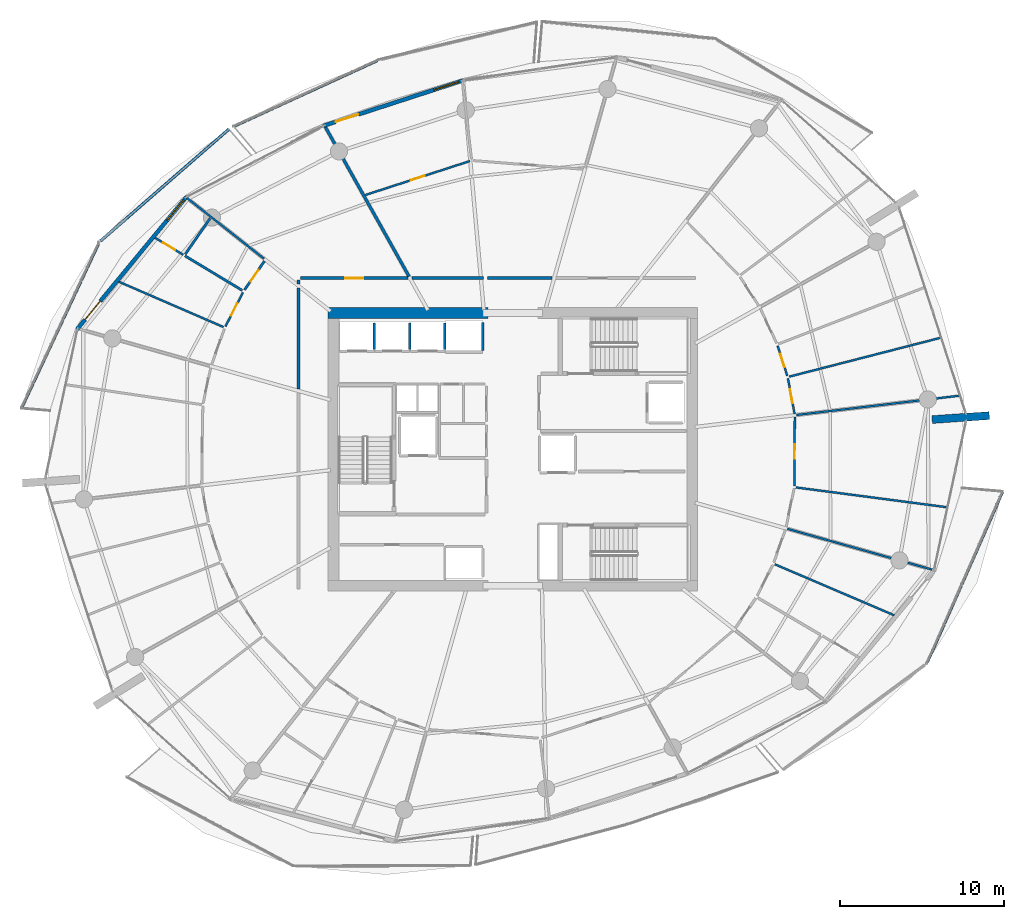
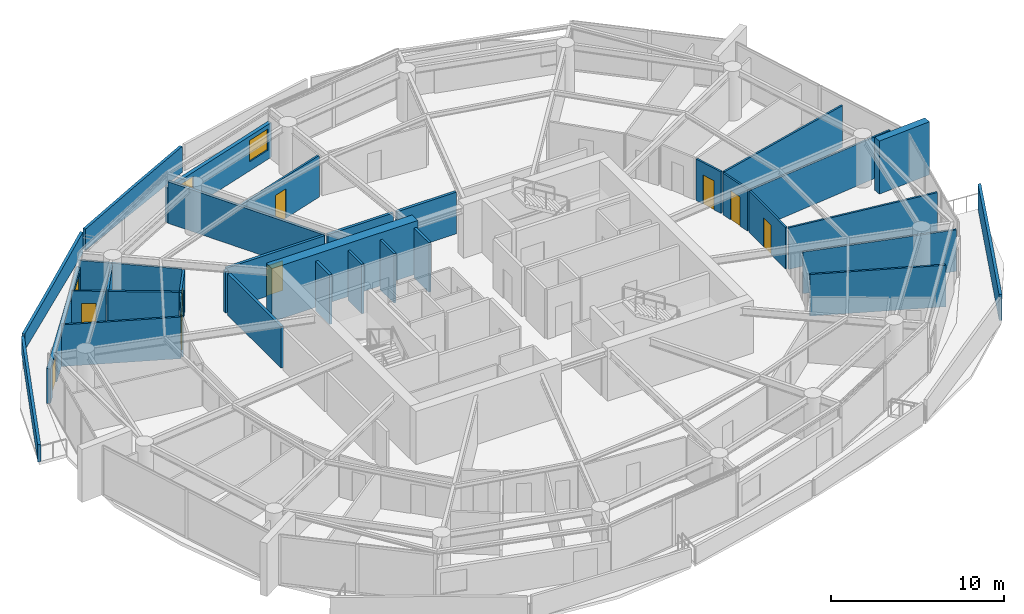
# One storey, part 14 of 20: 34 walls, 10 doors, 2 windows, 12 openings.
"""IFC4 building model written with IfcOpenShell, lengths in metres."""

from ifc_helpers import new_model, si_unit, direction, frame, frame_2d, origin, place, context, subcontext, project, spatial, polyline, rectangle, outline, extrude, material, layer, layer_set, type_object, element, fill, save


model = new_model("IFC4")

# Units and contexts
model_context = context("Model", 3, precision=1e-05, world=origin(), true_north=direction((0.0, 1.0)))
body_context = subcontext(model_context, "Body", "Model", "MODEL_VIEW")
ifc_project = project(units=[si_unit("LENGTHUNIT", "METRE"), si_unit("AREAUNIT", "SQUARE_METRE"), si_unit("VOLUMEUNIT", "CUBIC_METRE"), si_unit("PLANEANGLEUNIT", "RADIAN"), si_unit("MASSUNIT", "GRAM", prefix="KILO")], contexts=[model_context])

# Site, building, storey
site_placement = place(None, origin())
site = spatial("IfcSite", under=ifc_project, at=site_placement, CompositionType="ELEMENT")
building_placement = place(site_placement, origin())
building = spatial("IfcBuilding", under=site, at=building_placement, Name="Kazma Halo Residences", CompositionType="ELEMENT")
storey_placement = place(building_placement, frame((0.0, 0.0, 214.050048828125)))
storey = spatial("IfcBuildingStorey", under=building, at=storey_placement, Name="L54", CompositionType="ELEMENT", Elevation=214.050048828125)

# Walls
ifc_material_1 = material(Name="White Concrete C50/60 Balustrade", Category="concrete")
ifc_layer_1 = layer(ifc_material_1, 0.179931640625)
ifc_layer_set_1 = layer_set([ifc_layer_1], Name="White Concrete C50/60 Balustrade")
wall_type_1 = type_object("IfcWallType", Name="WL-BAL-WAVE-180", PredefinedType="PARAPET", material=ifc_layer_set_1)
wall_1_placement = place(storey_placement, frame((40.160888671875, 65.74072265625, 0.0), z_axis=(0.0, 0.0, 1.0), x_axis=(-0.9090221771, -0.416747743294, 0.0)))
element("IfcWall", 1, at=wall_1_placement, inside=storey, type_object=wall_type_1, Name="L54 white wave balustrade wall NNW.2", PredefinedType="PARAPET", context=body_context, shape_type="SweptSolid", body=[
    extrude(outline(polyline([(0.0, 0.0), (9.66845703125, 0.0), (9.66845703125, 1.4970703125), (4.834228515625, 1.696044921875), (0.0, 1.83203125), (0.0, 0.0)])), frame((0.0, 0.08984375, 0.0), z_axis=(0.0, -1.0, 0.0), x_axis=(1.0, 0.0, 0.0)), (0.0, 0.0, 1.0), 0.179931640625),
])
wall_2_placement = place(storey_placement, frame((31.09814453125, 61.54638671875, 0.0), z_axis=(0.0, 0.0, 1.0), x_axis=(-0.754130048188, -0.65672511024, 0.0)))
element("IfcWall", 2, at=wall_2_placement, inside=storey, type_object=wall_type_1, Name="L54 white wave balustrade wall NW.1", PredefinedType="PARAPET", context=body_context, shape_type="SweptSolid", body=[
    extrude(outline(polyline([(0.0, 0.0), (10.38427734375, 0.0), (10.384033203125, 1.14794921875), (5.192138671875, 1.283935546875), (0.0, 1.48291015625), (0.0, 0.0)])), frame((0.0, 0.08984375, 0.0), z_axis=(0.0, -1.0, 0.0), x_axis=(1.0, 0.0, 0.0)), (0.0, 0.0, 1.0), 0.179931640625),
])
wall_3_placement = place(storey_placement, frame((23.125732421875, 54.539306640625, 0.0), z_axis=(0.0, 0.0, 1.0), x_axis=(-0.424187068479, -0.90557458607, 0.0)))
element("IfcWall", 3, at=wall_3_placement, inside=storey, type_object=wall_type_1, Name="L54 white wave balustrade wall NW.2", PredefinedType="PARAPET", context=body_context, shape_type="SweptSolid", body=[
    extrude(outline(polyline([(0.0, 0.0), (11.075927734375, 0.0), (11.075927734375, 1.223876953125), (5.5380859375, 1.126953125), (0.0, 1.14794921875), (0.0, 0.0)])), frame((0.0, 0.08984375, 0.0), z_axis=(0.0, -1.0, 0.0), x_axis=(1.0, 0.0, 0.0)), (0.0, 0.0, 1.0), 0.179931640625),
])
wall_4_placement = place(storey_placement, frame((73.727783203125, 29.025390625, 0.0), z_axis=(0.0, 0.0, 1.0), x_axis=(0.403762319035, 0.914863918694, 0.0)))
element("IfcWall", 4, at=wall_4_placement, inside=storey, type_object=wall_type_1, Name="L54 white wave balustrade wall SE.2", PredefinedType="PARAPET", context=body_context, shape_type="SweptSolid", body=[
    extrude(outline(polyline([(0.0, 0.0), (11.3701171875, 0.0), (11.369873046875, 1.755859375), (5.684814453125, 1.85302734375), (0.0, 1.83203125), (0.0, 0.0)])), frame((0.0, 0.08984375, 0.0), z_axis=(0.0, -1.0, 0.0), x_axis=(1.0, 0.0, 0.0)), (0.0, 0.0, 1.0), 0.179931640625),
])
ifc_material_2 = material(Name="Pale Concrete C60/75", Category="concrete")
ifc_layer_2 = layer(ifc_material_2, 0.47998046875)
ifc_layer_set_2 = layer_set([ifc_layer_2], Name="Pale Concrete C60/75")
wall_type_2 = type_object("IfcWallType", Name="WL-BLADE-480", PredefinedType="SOLIDWALL", material=ifc_layer_set_2)
wall_5_placement = place(storey_placement, frame((74.0126953125, 43.819091796875, 0.0), z_axis=(0.0, 0.0, 1.0), x_axis=(0.997568676264, 0.069690287244, 0.0)))
element("IfcWall", 5, at=wall_5_placement, inside=storey, type_object=wall_type_2, Name="L54 pale concrete structural blade fin wall BW-04", PredefinedType="SOLIDWALL", context=body_context, shape_type="SweptSolid", body=[
    extrude(rectangle(XDim=3.499755859375, YDim=0.47998046875, at=frame_2d((1.75, 0.0))), origin(), (0.0, 0.0, 1.0), 3.75),
])
ifc_material_3 = material(Name="Concrete C60/75", Category="concrete")
ifc_layer_3 = layer(ifc_material_3, 0.64990234375)
ifc_layer_set_3 = layer_set([ifc_layer_3], Name="Concrete C60/75")
wall_type_3 = type_object("IfcWallType", Name="WL-CORE-650", PredefinedType="SHEAR", material=ifc_layer_set_3)
wall_6_placement = place(storey_placement, frame((37.14990234375, 50.324951171875, 0.0), z_axis=(0.0, 0.0, 1.0), x_axis=(1.0, 0.0, 0.0)))
element("IfcWall", 6, at=wall_6_placement, inside=storey, type_object=wall_type_3, Name="L54 central core shear wall NW", PredefinedType="SHEAR", context=body_context, shape_type="SweptSolid", body=[
    extrude(rectangle(XDim=9.75, YDim=0.64990234375, at=frame_2d((4.875, 0.0))), origin(), (0.0, 0.0, 1.0), 3.75),
])
ifc_material_4 = material(Name="Acoustic Twin-Stud Gypsum")
ifc_layer_4 = layer(ifc_material_4, 0.179931640625)
ifc_layer_set_4 = layer_set([ifc_layer_4], Name="Acoustic Twin-Stud Gypsum")
wall_type_4 = type_object("IfcWallType", Name="WL-DEM-180", PredefinedType="PARTITIONING", material=ifc_layer_set_4)
wall_7_placement = place(storey_placement, frame((42.093994140625, 52.5458984375, 0.0), z_axis=(0.0, 0.0, 1.0), x_axis=(-0.488614041717, 0.872500039104, 0.0)))
element("IfcWall", 7, at=wall_7_placement, inside=storey, type_object=wall_type_4, Name="L54 apartment demising radial wall 04", PredefinedType="PARTITIONING", context=body_context, shape_type="SweptSolid", body=[
    extrude(rectangle(XDim=10.448486328125, YDim=0.179931640625, at=frame_2d((5.22412109375, 0.0))), origin(), (0.0, 0.0, 1.0), 2.93994140625),
])

# Wall, opening, door
wall_8_placement = place(storey_placement, frame((42.027587890625, 52.449951171875, 0.0), z_axis=(0.0, 0.0, 1.0), x_axis=(-1.0, 0.0, 0.0)))
wall_8 = element("IfcWall", 8, at=wall_8_placement, inside=storey, type_object=wall_type_4, Name="L54 Apartment 1 entrance corridor wall", PredefinedType="PARTITIONING", context=body_context, shape_type="SweptSolid", body=[
    extrude(rectangle(XDim=6.5576171875, YDim=0.179931640625, at=frame_2d((3.27880859375, 0.0))), origin(), (0.0, 0.0, 1.0), 2.93994140625),
])
opening_1_placement = place(wall_8_placement, frame((2.72900390625, 0.0, 0.0)))
opening_1 = element("IfcOpeningElement", 9, at=opening_1_placement, cuts=wall_8, Name="Opening DA-1100", PredefinedType="OPENING", context=body_context, shape_type="SweptSolid", body=[
    extrude(rectangle(XDim=1.10009765625, YDim=2.10009765625, at=frame_2d((0.550048828125, 1.050048828125))), frame((0.0, 0.099853515625, 0.0), z_axis=(0.0, -1.0, 0.0), x_axis=(1.0, 0.0, 0.0)), (0.0, 0.0, 1.0), 0.199951171875),
])
ifc_material_5 = material(Name="Acoustic Walnut Fire Leaf")
door_type_1 = type_object("IfcDoorType", Name="DR-FD60-1100", OperationType="NOTDEFINED", PredefinedType="DOOR", material=ifc_material_5)
door_1_placement = place(opening_1_placement, origin())
door_1 = element("IfcDoor", 10, at=door_1_placement, inside=storey, type_object=door_type_1, Name="L54 Apartment 1 entrance fire door", OperationType="SINGLE_SWING_RIGHT", OverallHeight=2.10009765625, OverallWidth=1.10009765625, PredefinedType="DOOR", context=body_context, shape_type="SweptSolid", body=[
    extrude(rectangle(XDim=1.10009765625, YDim=2.10009765625, at=frame_2d((0.550048828125, 1.050048828125))), frame((0.0, 0.02490234375, 0.0), z_axis=(0.0, -1.0, 0.0), x_axis=(1.0, 0.0, 0.0)), (0.0, 0.0, 1.0), 0.050048828125),
])
fill(opening_1, door_1)

# Walls
wall_9_placement = place(storey_placement, frame((35.35009765625, 52.330078125, 0.0), z_axis=(0.0, 0.0, 1.0), x_axis=(0.0, -1.0, 0.0)))
element("IfcWall", 11, at=wall_9_placement, inside=storey, type_object=wall_type_4, Name="L54 Apartment 1 entrance corridor wall", PredefinedType="PARTITIONING", context=body_context, shape_type="SweptSolid", body=[
    extrude(rectangle(XDim=0.237548828125, YDim=0.179931640625, at=frame_2d((0.11865234375, 0.0))), origin(), (0.0, 0.0, 1.0), 2.93994140625),
])
wall_10_placement = place(storey_placement, frame((35.35009765625, 51.8525390625, 0.0), z_axis=(0.0, 0.0, 1.0), x_axis=(0.0, -1.0, 0.0)))
element("IfcWall", 12, at=wall_10_placement, inside=storey, type_object=wall_type_4, Name="L54 Apartment 1 inner wall 5", PredefinedType="PARTITIONING", context=body_context, shape_type="SweptSolid", body=[
    extrude(rectangle(XDim=6.164794921875, YDim=0.179931640625, at=frame_2d((3.08251953125, 0.0))), origin(), (0.0, 0.0, 1.0), 2.93994140625),
])
wall_11_placement = place(storey_placement, frame((50.8271484375, 52.449951171875, 0.0), z_axis=(0.0, 0.0, 1.0), x_axis=(-1.0, 0.0, 0.0)))
element("IfcWall", 13, at=wall_11_placement, inside=storey, type_object=wall_type_4, Name="L54 Apartment 2 inner wall 2", PredefinedType="PARTITIONING", context=body_context, shape_type="SweptSolid", body=[
    extrude(rectangle(XDim=3.94384765625, YDim=0.179931640625, at=frame_2d((1.971923828125, 0.0))), origin(), (0.0, 0.0, 1.0), 2.93994140625),
])
wall_12_placement = place(storey_placement, frame((46.643310546875, 52.449951171875, 0.0), z_axis=(0.0, 0.0, 1.0), x_axis=(-1.0, 0.0, 0.0)))
element("IfcWall", 14, at=wall_12_placement, inside=storey, type_object=wall_type_4, Name="L54 Apartment 2 inner wall 3", PredefinedType="PARTITIONING", context=body_context, shape_type="SweptSolid", body=[
    extrude(rectangle(XDim=4.375732421875, YDim=0.179931640625, at=frame_2d((2.18798828125, 0.0))), origin(), (0.0, 0.0, 1.0), 2.93994140625),
])

# Wall, openings, door, window
ifc_material_6 = material(Name="Insulated Pale-Metal Composite Wall")
ifc_layer_5 = layer(ifc_material_6, 0.239990234375)
ifc_layer_set_5 = layer_set([ifc_layer_5], Name="Insulated Pale-Metal Composite Wall")
wall_type_5 = type_object("IfcWallType", Name="WL-EXT-HOST-240", PredefinedType="SOLIDWALL", material=ifc_layer_set_5)
wall_13_placement = place(storey_placement, frame((45.38427734375, 64.518798828125, 0.0), z_axis=(0.0, 0.0, 1.0), x_axis=(-0.951058543936, -0.309010753869, 0.0)))
wall_13 = element("IfcWall", 15, at=wall_13_placement, inside=storey, type_object=wall_type_5, Name="L54 exterior terrace-access wall B04", PredefinedType="SOLIDWALL", context=body_context, shape_type="SweptSolid", body=[
    extrude(rectangle(XDim=8.942138671875, YDim=0.239990234375, at=frame_2d((4.47119140625, 0.0))), origin(), (0.0, 0.0, 1.0), 2.449951171875),
])
opening_2_placement = place(wall_13_placement, frame((6.721923828125, 0.0, 0.0)))
opening_2 = element("IfcOpeningElement", 16, at=opening_2_placement, cuts=wall_13, Name="Opening DTR-1600", PredefinedType="OPENING", context=body_context, shape_type="SweptSolid", body=[
    extrude(rectangle(XDim=1.449951171875, YDim=2.14990234375, at=frame_2d((0.72509765625, 1.074951171875))), frame((0.0, 0.1298828125, 0.0), z_axis=(0.0, -1.0, 0.0), x_axis=(1.0, 0.0, 0.0)), (0.0, 0.0, 1.0), 0.260009765625),
])
opening_3_placement = place(wall_13_placement, frame((0.280029296875, 0.0, 0.64990234375)))
opening_3 = element("IfcOpeningElement", 17, at=opening_3_placement, cuts=wall_13, Name="Opening W-1800", PredefinedType="OPENING", context=body_context, shape_type="SweptSolid", body=[
    extrude(rectangle(XDim=1.60009765625, YDim=1.5, at=frame_2d((0.800048828125, 0.75))), frame((0.0, 0.1298828125, 0.0), z_axis=(0.0, -1.0, 0.0), x_axis=(1.0, 0.0, 0.0)), (0.0, 0.0, 1.0), 0.260009765625),
])
ifc_material_7 = material(Name="Aluminium AW-6063 T6 Double-Glazed Terrace Door", Category="aluminium")
door_type_2 = type_object("IfcDoorType", Name="DR-EXT-TERR-1600", OperationType="NOTDEFINED", PredefinedType="DOOR", material=ifc_material_7)
door_2_placement = place(opening_2_placement, origin())
door_2 = element("IfcDoor", 18, at=door_2_placement, inside=storey, type_object=door_type_2, Name="L54 B04 balcony terrace door", OperationType="DOUBLE_DOOR_SLIDING", OverallHeight=2.14990234375, OverallWidth=1.449951171875, PredefinedType="DOOR", context=body_context, shape_type="SweptSolid", body=[
    extrude(rectangle(XDim=1.449951171875, YDim=2.14990234375, at=frame_2d((0.72509765625, 1.074951171875))), frame((0.0, 0.02490234375, 0.0), z_axis=(0.0, -1.0, 0.0), x_axis=(1.0, 0.0, 0.0)), (0.0, 0.0, 1.0), 0.050048828125),
])
fill(opening_2, door_2)
ifc_material_8 = material(Name="Clear Triple-Silver Low-E Glass in Aluminium AW-6063 T6 Frame", Category="aluminium")
window_type = type_object("IfcWindowType", Name="WIN-RES-1800", PartitioningType="DOUBLE_PANEL_VERTICAL", PredefinedType="WINDOW", material=ifc_material_8)
window_1_placement = place(opening_3_placement, origin())
window_1 = element("IfcWindow", 19, at=window_1_placement, inside=storey, type_object=window_type, Name="L54 B04 apartment window", OverallHeight=1.5, OverallWidth=1.60009765625, PartitioningType="SINGLE_PANEL", PredefinedType="WINDOW", context=body_context, shape_type="SweptSolid", body=[
    extrude(rectangle(XDim=1.60009765625, YDim=1.5, at=frame_2d((0.800048828125, 0.75))), frame((0.0, 0.030029296875, 0.0), z_axis=(0.0, -1.0, 0.0), x_axis=(1.0, 0.0, 0.0)), (0.0, 0.0, 1.0), 0.06005859375),
])
fill(opening_3, window_1)

wall_14_placement = place(storey_placement, frame((28.514892578125, 57.42431640625, 0.0), z_axis=(0.0, 0.0, 1.0), x_axis=(-0.636759394418, -0.771062561418, 0.0)))
wall_14 = element("IfcWall", 20, at=wall_14_placement, inside=storey, type_object=wall_type_5, Name="L54 exterior terrace-access wall B06", PredefinedType="SOLIDWALL", context=body_context, shape_type="SweptSolid", body=[
    extrude(rectangle(XDim=10.494384765625, YDim=0.239990234375, at=frame_2d((5.2470703125, 0.0))), origin(), (0.0, 0.0, 1.0), 2.449951171875),
])
opening_4_placement = place(wall_14_placement, frame((8.2744140625, 0.0, 0.0)))
opening_4 = element("IfcOpeningElement", 21, at=opening_4_placement, cuts=wall_14, Name="Opening DTR-1600", PredefinedType="OPENING", context=body_context, shape_type="SweptSolid", body=[
    extrude(rectangle(XDim=1.449951171875, YDim=2.14990234375, at=frame_2d((0.72509765625, 1.074951171875))), frame((0.0, 0.1298828125, 0.0), z_axis=(0.0, -1.0, 0.0), x_axis=(1.0, 0.0, 0.0)), (0.0, 0.0, 1.0), 0.260009765625),
])
opening_5_placement = place(wall_14_placement, frame((0.280029296875, 0.0, 0.64990234375)))
opening_5 = element("IfcOpeningElement", 22, at=opening_5_placement, cuts=wall_14, Name="Opening W-1800", PredefinedType="OPENING", context=body_context, shape_type="SweptSolid", body=[
    extrude(rectangle(XDim=1.60009765625, YDim=1.5, at=frame_2d((0.800048828125, 0.75))), frame((0.0, 0.1298828125, 0.0), z_axis=(0.0, -1.0, 0.0), x_axis=(1.0, 0.0, 0.0)), (0.0, 0.0, 1.0), 0.260009765625),
])
door_3_placement = place(opening_4_placement, origin())
door_3 = element("IfcDoor", 23, at=door_3_placement, inside=storey, type_object=door_type_2, Name="L54 B06 balcony terrace door", OperationType="DOUBLE_DOOR_SLIDING", OverallHeight=2.14990234375, OverallWidth=1.449951171875, PredefinedType="DOOR", context=body_context, shape_type="SweptSolid", body=[
    extrude(rectangle(XDim=1.449951171875, YDim=2.14990234375, at=frame_2d((0.72509765625, 1.074951171875))), frame((0.0, 0.02490234375, 0.0), z_axis=(0.0, -1.0, 0.0), x_axis=(1.0, 0.0, 0.0)), (0.0, 0.0, 1.0), 0.050048828125),
])
fill(opening_4, door_3)
window_2_placement = place(opening_5_placement, origin())
window_2 = element("IfcWindow", 24, at=window_2_placement, inside=storey, type_object=window_type, Name="L54 B06 apartment window", OverallHeight=1.5, OverallWidth=1.60009765625, PartitioningType="SINGLE_PANEL", PredefinedType="WINDOW", context=body_context, shape_type="SweptSolid", body=[
    extrude(rectangle(XDim=1.60009765625, YDim=1.5, at=frame_2d((0.800048828125, 0.75))), frame((0.0, 0.030029296875, 0.0), z_axis=(0.0, -1.0, 0.0), x_axis=(1.0, 0.0, 0.0)), (0.0, 0.0, 1.0), 0.06005859375),
])
fill(opening_5, window_2)

# Walls
ifc_material_9 = material(Name="Fire-Rated Blockwork Masonry", Category="masonry")
ifc_layer_6 = layer(ifc_material_9, 0.199951171875)
ifc_layer_set_6 = layer_set([ifc_layer_6], Name="Fire-Rated Blockwork Masonry")
wall_type_6 = type_object("IfcWallType", Name="WL-FLB-200", PredefinedType="PARTITIONING", material=ifc_layer_set_6)
for number, where, z_axis, x_axis, name in (
    (25, (39.97509765625, 48.094970703125, 0.0), (0.0, 0.0, 1.0), (0.0, 1.0, 0.0), "L54 lift shaft PM-01 side wall E"),
    (26, (42.125, 48.094970703125, 0.0), (0.0, 0.0, 1.0), (0.0, 1.0, 0.0), "L54 lift shaft PM-02 side wall E"),
    (27, (44.27490234375, 48.094970703125, 0.0), (0.0, 0.0, 1.0), (0.0, 1.0, 0.0), "L54 lift shaft PM-03 side wall E"),
):
    element("IfcWall", number, at=place(storey_placement, frame(where, z_axis=z_axis, x_axis=x_axis)), inside=storey, type_object=wall_type_6, Name=name, PredefinedType="PARTITIONING", context=body_context, shape_type="SweptSolid", body=[
        extrude(rectangle(XDim=1.610107421875, YDim=0.159912109375, at=frame_2d((0.80517578125, 0.0))), origin(), (0.0, 0.0, 1.0), 3.5),
    ])
wall_15_placement = place(storey_placement, frame((46.580078125, 48.044921875, 0.0), z_axis=(0.0, 0.0, 1.0), x_axis=(0.0, 1.0, 0.0)))
element("IfcWall", 28, at=wall_15_placement, inside=storey, type_object=wall_type_6, Name="L54 lift shaft PX-01 side wall E", PredefinedType="PARTITIONING", context=body_context, shape_type="SweptSolid", body=[
    extrude(rectangle(XDim=1.7099609375, YDim=0.159912109375, at=frame_2d((0.85498046875, 0.0))), origin(), (0.0, 0.0, 1.0), 3.5),
])
ifc_material_10 = material(Name="Gypsum Plasterboard Partition")
ifc_layer_7 = layer(ifc_material_10, 0.125)
ifc_layer_set_7 = layer_set([ifc_layer_7], Name="Gypsum Plasterboard Partition")
wall_type_7 = type_object("IfcWallType", Name="WL-PART-125", PredefinedType="PARTITIONING", material=ifc_layer_set_7)
wall_16_placement = place(storey_placement, frame((33.24072265625, 53.63525390625, 0.0), z_axis=(0.0, 0.0, 1.0), x_axis=(-0.785321754625, 0.619087830371, 0.0)))
element("IfcWall", 29, at=wall_16_placement, inside=storey, type_object=wall_type_7, Name="L54 Apartment 1 radial partition 5", PredefinedType="PARTITIONING", context=body_context, shape_type="SweptSolid", body=[
    extrude(rectangle(XDim=6.033203125, YDim=0.125, at=frame_2d((3.0166015625, 0.0))), origin(), (0.0, 0.0, 1.0), 2.93994140625),
])

# Wall, opening, door
wall_17_placement = place(storey_placement, frame((28.301513671875, 53.880615234375, 0.0), z_axis=(0.0, 0.0, 1.0), x_axis=(-0.856354175531, 0.516388929056, 0.0)))
wall_17 = element("IfcWall", 30, at=wall_17_placement, inside=storey, type_object=wall_type_7, Name="L54 Apartment 1 Household Store Room partition wall", PredefinedType="PARTITIONING", context=body_context, shape_type="SweptSolid", body=[
    extrude(rectangle(XDim=1.989990234375, YDim=0.125, at=frame_2d((0.9951171875, 0.0))), origin(), (0.0, 0.0, 1.0), 2.93994140625),
])
opening_6_placement = place(wall_17_placement, frame((0.56982421875, 0.0, 0.0)))
opening_6 = element("IfcOpeningElement", 31, at=opening_6_placement, cuts=wall_17, Name="Opening DB-900", PredefinedType="OPENING", context=body_context, shape_type="SweptSolid", body=[
    extrude(rectangle(XDim=0.85009765625, YDim=2.06005859375, at=frame_2d((0.425048828125, 1.030029296875))), frame((0.0, 0.072509765625, 0.0), z_axis=(0.0, -1.0, 0.0), x_axis=(1.0, 0.0, 0.0)), (0.0, 0.0, 1.0), 0.14501953125),
])
ifc_material_11 = material(Name="Moisture-Sealed Timber Leaf", Category="wood")
door_type_3 = type_object("IfcDoorType", Name="DR-BTH-900", OperationType="NOTDEFINED", PredefinedType="DOOR", material=ifc_material_11)
door_4_placement = place(opening_6_placement, origin())
door_4 = element("IfcDoor", 32, at=door_4_placement, inside=storey, type_object=door_type_3, Name="L54 Apartment 1 Household Store Room door", OperationType="SINGLE_SWING_LEFT", OverallHeight=2.06005859375, OverallWidth=0.85009765625, PredefinedType="DOOR", context=body_context, shape_type="SweptSolid", body=[
    extrude(rectangle(XDim=0.85009765625, YDim=2.06005859375, at=frame_2d((0.425048828125, 1.030029296875))), frame((0.0, 0.02490234375, 0.0), z_axis=(0.0, -1.0, 0.0), x_axis=(1.0, 0.0, 0.0)), (0.0, 0.0, 1.0), 0.050048828125),
])
fill(opening_6, door_4)

# Wall
wall_18_placement = place(storey_placement, frame((30.763916015625, 49.466796875, 0.0), z_axis=(0.0, 0.0, 1.0), x_axis=(-0.917605566125, 0.397492169755, 0.0)))
element("IfcWall", 33, at=wall_18_placement, inside=storey, type_object=wall_type_7, Name="L54 Apartment 1 suite divider 5", PredefinedType="PARTITIONING", context=body_context, shape_type="SweptSolid", body=[
    extrude(rectangle(XDim=6.95458984375, YDim=0.125, at=frame_2d((3.477294921875, 0.0))), origin(), (0.0, 0.0, 1.0), 2.93994140625),
])

# Wall, opening, door
wall_19_placement = place(storey_placement, frame((31.950927734375, 51.57470703125, 0.0), z_axis=(0.0, 0.0, 1.0), x_axis=(-0.458029312051, -0.88893708962, 0.0)))
wall_19 = element("IfcWall", 34, at=wall_19_placement, inside=storey, type_object=wall_type_7, Name="L54 Apartment 1 Gourmet Kitchen hall wall", PredefinedType="PARTITIONING", context=body_context, shape_type="SweptSolid", body=[
    extrude(rectangle(XDim=2.33154296875, YDim=0.125, at=frame_2d((1.165771484375, 0.0))), origin(), (0.0, 0.0, 1.0), 2.93994140625),
])
opening_7_placement = place(wall_19_placement, frame((0.74072265625, 0.0, 0.0)))
opening_7 = element("IfcOpeningElement", 35, at=opening_7_placement, cuts=wall_19, Name="Opening DB-900", PredefinedType="OPENING", context=body_context, shape_type="SweptSolid", body=[
    extrude(rectangle(XDim=0.85009765625, YDim=2.06005859375, at=frame_2d((0.425048828125, 1.030029296875))), frame((0.0, 0.072509765625, 0.0), z_axis=(0.0, -1.0, 0.0), x_axis=(1.0, 0.0, 0.0)), (0.0, 0.0, 1.0), 0.14501953125),
])
door_5_placement = place(opening_7_placement, origin())
door_5 = element("IfcDoor", 36, at=door_5_placement, inside=storey, type_object=door_type_3, Name="L54 Apartment 1 Gourmet Kitchen door", OperationType="SINGLE_SWING_RIGHT", OverallHeight=2.06005859375, OverallWidth=0.85009765625, PredefinedType="DOOR", context=body_context, shape_type="SweptSolid", body=[
    extrude(rectangle(XDim=0.85009765625, YDim=2.06005859375, at=frame_2d((0.425048828125, 1.030029296875))), frame((0.0, 0.02490234375, 0.0), z_axis=(0.0, -1.0, 0.0), x_axis=(1.0, 0.0, 0.0)), (0.0, 0.0, 1.0), 0.050048828125),
])
fill(opening_7, door_5)

# Walls
wall_20_placement = place(storey_placement, frame((64.412353515625, 34.9892578125, 0.0), z_axis=(0.0, 0.0, 1.0), x_axis=(0.919622074899, -0.392804327061, 0.0)))
element("IfcWall", 37, at=wall_20_placement, inside=storey, type_object=wall_type_7, Name="L54 Apartment 2 suite divider 13", PredefinedType="PARTITIONING", context=body_context, shape_type="SweptSolid", body=[
    extrude(rectangle(XDim=7.93017578125, YDim=0.125, at=frame_2d((3.965087890625, 0.0))), origin(), (0.0, 0.0, 1.0), 2.93994140625),
])
wall_21_placement = place(storey_placement, frame((65.1865234375, 37.15283203125, 0.0), z_axis=(0.0, 0.0, 1.0), x_axis=(0.962455381168, -0.271439936746, 0.0)))
element("IfcWall", 38, at=wall_21_placement, inside=storey, type_object=wall_type_7, Name="L54 Apartment 2 radial partition 14", PredefinedType="PARTITIONING", context=body_context, shape_type="SweptSolid", body=[
    extrude(rectangle(XDim=9.17333984375, YDim=0.125, at=frame_2d((4.586669921875, 0.0))), origin(), (0.0, 0.0, 1.0), 2.93994140625),
])
wall_22_placement = place(storey_placement, frame((65.695556640625, 39.6796875, 0.0), z_axis=(0.0, 0.0, 1.0), x_axis=(0.991514569792, -0.129995607197, 0.0)))
element("IfcWall", 39, at=wall_22_placement, inside=storey, type_object=wall_type_7, Name="L54 Apartment 2 mid-bay wall 14", PredefinedType="PARTITIONING", context=body_context, shape_type="SweptSolid", body=[
    extrude(rectangle(XDim=9.317138671875, YDim=0.125, at=frame_2d((4.65869140625, 0.0))), origin(), (0.0, 0.0, 1.0), 2.93994140625),
])

# Wall, opening, door
wall_23_placement = place(storey_placement, frame((65.606689453125, 39.771484375, 0.0), z_axis=(0.0, 0.0, 1.0), x_axis=(0.006312493675, 0.999980076013, 0.0)))
wall_23 = element("IfcWall", 40, at=wall_23_placement, inside=storey, type_object=wall_type_7, Name="L54 Apartment 2 Sky Formal Dining Room hall wall", PredefinedType="PARTITIONING", context=body_context, shape_type="SweptSolid", body=[
    extrude(rectangle(XDim=4.215576171875, YDim=0.125, at=frame_2d((2.10791015625, 0.0))), origin(), (0.0, 0.0, 1.0), 2.93994140625),
])
opening_8_placement = place(wall_23_placement, frame((1.65771484375, 0.0, 0.0)))
opening_8 = element("IfcOpeningElement", 41, at=opening_8_placement, cuts=wall_23, Name="Opening DI-950", PredefinedType="OPENING", context=body_context, shape_type="SweptSolid", body=[
    extrude(rectangle(XDim=0.89990234375, YDim=2.080078125, at=frame_2d((0.449951171875, 1.0400390625))), frame((0.0, 0.072509765625, 0.0), z_axis=(0.0, -1.0, 0.0), x_axis=(1.0, 0.0, 0.0)), (0.0, 0.0, 1.0), 0.14501953125),
])
ifc_material_12 = material(Name="Timber Veneer Flush Leaf", Category="wood")
door_type_4 = type_object("IfcDoorType", Name="DR-INT-950", OperationType="NOTDEFINED", PredefinedType="DOOR", material=ifc_material_12)
door_6_placement = place(opening_8_placement, origin())
door_6 = element("IfcDoor", 42, at=door_6_placement, inside=storey, type_object=door_type_4, Name="L54 Apartment 2 Sky Formal Dining Room door", OperationType="SINGLE_SWING_RIGHT", OverallHeight=2.080078125, OverallWidth=0.89990234375, PredefinedType="DOOR", context=body_context, shape_type="SweptSolid", body=[
    extrude(rectangle(XDim=0.89990234375, YDim=2.080078125, at=frame_2d((0.449951171875, 1.0400390625))), frame((0.0, 0.02490234375, 0.0), z_axis=(0.0, -1.0, 0.0), x_axis=(1.0, 0.0, 0.0)), (0.0, 0.0, 1.0), 0.050048828125),
])
fill(opening_8, door_6)

# Walls
wall_24_placement = place(storey_placement, frame((65.733154296875, 44.098876953125, 0.0), z_axis=(0.0, 0.0, 1.0), x_axis=(0.993067848517, 0.117542538007, 0.0)))
element("IfcWall", 43, at=wall_24_placement, inside=storey, type_object=wall_type_7, Name="L54 Apartment 2 radial partition 15", PredefinedType="PARTITIONING", context=body_context, shape_type="SweptSolid", body=[
    extrude(rectangle(XDim=10.038330078125, YDim=0.125, at=frame_2d((5.01904296875, 0.0))), origin(), (0.0, 0.0, 1.0), 2.93994140625),
])
wall_25_placement = place(storey_placement, frame((65.286376953125, 46.4384765625, 0.0), z_axis=(0.0, 0.0, 1.0), x_axis=(0.968582570174, 0.248692188769, 0.0)))
element("IfcWall", 44, at=wall_25_placement, inside=storey, type_object=wall_type_7, Name="L54 Apartment 2 bay wall 1 15", PredefinedType="PARTITIONING", context=body_context, shape_type="SweptSolid", body=[
    extrude(rectangle(XDim=9.565673828125, YDim=0.125, at=frame_2d((4.78271484375, 0.0))), origin(), (0.0, 0.0, 1.0), 2.93994140625),
])

# Wall, opening, door
wall_26_placement = place(storey_placement, frame((65.619140625, 44.165771484375, 0.0), z_axis=(0.0, 0.0, 1.0), x_axis=(-0.183454395516, 0.983028221755, 0.0)))
wall_26 = element("IfcWall", 45, at=wall_26_placement, inside=storey, type_object=wall_type_7, Name="L54 Apartment 2 Gulf Bedroom hall wall", PredefinedType="PARTITIONING", context=body_context, shape_type="SweptSolid", body=[
    extrude(rectangle(XDim=2.209228515625, YDim=0.125, at=frame_2d((1.1044921875, 0.0))), origin(), (0.0, 0.0, 1.0), 2.93994140625),
])
opening_9_placement = place(wall_26_placement, frame((0.6796875, 0.0, 0.0)))
opening_9 = element("IfcOpeningElement", 46, at=opening_9_placement, cuts=wall_26, Name="Opening DB-900", PredefinedType="OPENING", context=body_context, shape_type="SweptSolid", body=[
    extrude(rectangle(XDim=0.85009765625, YDim=2.06005859375, at=frame_2d((0.425048828125, 1.030029296875))), frame((0.0, 0.072509765625, 0.0), z_axis=(0.0, -1.0, 0.0), x_axis=(1.0, 0.0, 0.0)), (0.0, 0.0, 1.0), 0.14501953125),
])
door_7_placement = place(opening_9_placement, origin())
door_7 = element("IfcDoor", 47, at=door_7_placement, inside=storey, type_object=door_type_3, Name="L54 Apartment 2 Gulf Bedroom door", OperationType="SINGLE_SWING_LEFT", OverallHeight=2.06005859375, OverallWidth=0.85009765625, PredefinedType="DOOR", context=body_context, shape_type="SweptSolid", body=[
    extrude(rectangle(XDim=0.85009765625, YDim=2.06005859375, at=frame_2d((0.425048828125, 1.030029296875))), frame((0.0, 0.02490234375, 0.0), z_axis=(0.0, -1.0, 0.0), x_axis=(1.0, 0.0, 0.0)), (0.0, 0.0, 1.0), 0.050048828125),
])
fill(opening_9, door_7)

wall_27_placement = place(storey_placement, frame((65.1748046875, 46.4921875, 0.0), z_axis=(0.0, 0.0, 1.0), x_axis=(-0.305358332679, 0.952237516938, 0.0)))
wall_27 = element("IfcWall", 48, at=wall_27_placement, inside=storey, type_object=wall_type_7, Name="L54 Apartment 2 Primary Dressing Wardrobe hall wall", PredefinedType="PARTITIONING", context=body_context, shape_type="SweptSolid", body=[
    extrude(rectangle(XDim=1.930908203125, YDim=0.125, at=frame_2d((0.96533203125, 0.0))), origin(), (0.0, 0.0, 1.0), 2.93994140625),
])
opening_10_placement = place(wall_27_placement, frame((0.540283203125, 0.0, 0.0)))
opening_10 = element("IfcOpeningElement", 49, at=opening_10_placement, cuts=wall_27, Name="Opening DB-900", PredefinedType="OPENING", context=body_context, shape_type="SweptSolid", body=[
    extrude(rectangle(XDim=0.85009765625, YDim=2.06005859375, at=frame_2d((0.425048828125, 1.030029296875))), frame((0.0, 0.072509765625, 0.0), z_axis=(0.0, -1.0, 0.0), x_axis=(1.0, 0.0, 0.0)), (0.0, 0.0, 1.0), 0.14501953125),
])
door_8_placement = place(opening_10_placement, origin())
door_8 = element("IfcDoor", 50, at=door_8_placement, inside=storey, type_object=door_type_3, Name="L54 Apartment 2 Primary Dressing Wardrobe door", OperationType="SINGLE_SWING_RIGHT", OverallHeight=2.06005859375, OverallWidth=0.85009765625, PredefinedType="DOOR", context=body_context, shape_type="SweptSolid", body=[
    extrude(rectangle(XDim=0.85009765625, YDim=2.06005859375, at=frame_2d((0.425048828125, 1.030029296875))), frame((0.0, 0.02490234375, 0.0), z_axis=(0.0, -1.0, 0.0), x_axis=(1.0, 0.0, 0.0)), (0.0, 0.0, 1.0), 0.050048828125),
])
fill(opening_10, door_8)

wall_28_placement = place(storey_placement, frame((45.808349609375, 59.599853515625, 0.0), z_axis=(0.0, 0.0, 1.0), x_axis=(-0.951057868445, -0.309012832854, 0.0)))
wall_28 = element("IfcWall", 51, at=wall_28_placement, inside=storey, type_object=wall_type_7, Name="L54 Apartment 2 South Formal Dining Room gallery wall", PredefinedType="PARTITIONING", context=body_context, shape_type="SweptSolid", body=[
    extrude(rectangle(XDim=6.70849609375, YDim=0.125, at=frame_2d((3.354248046875, 0.0))), origin(), (0.0, 0.0, 1.0), 2.93994140625),
])
opening_11_placement = place(wall_28_placement, frame((2.904296875, 0.0, 0.0)))
opening_11 = element("IfcOpeningElement", 52, at=opening_11_placement, cuts=wall_28, Name="Opening DI-950", PredefinedType="OPENING", context=body_context, shape_type="SweptSolid", body=[
    extrude(rectangle(XDim=0.89990234375, YDim=2.080078125, at=frame_2d((0.449951171875, 1.0400390625))), frame((0.0, 0.072509765625, 0.0), z_axis=(0.0, -1.0, 0.0), x_axis=(1.0, 0.0, 0.0)), (0.0, 0.0, 1.0), 0.14501953125),
])
door_9_placement = place(opening_11_placement, origin())
door_9 = element("IfcDoor", 53, at=door_9_placement, inside=storey, type_object=door_type_4, Name="L54 Apartment 2 South Formal Dining Room door", OperationType="SINGLE_SWING_RIGHT", OverallHeight=2.080078125, OverallWidth=0.89990234375, PredefinedType="DOOR", context=body_context, shape_type="SweptSolid", body=[
    extrude(rectangle(XDim=0.89990234375, YDim=2.080078125, at=frame_2d((0.449951171875, 1.0400390625))), frame((0.0, 0.02490234375, 0.0), z_axis=(0.0, -1.0, 0.0), x_axis=(1.0, 0.0, 0.0)), (0.0, 0.0, 1.0), 0.050048828125),
])
fill(opening_11, door_9)

ifc_material_13 = material(Name="Moisture-Resistant Gypsum")
ifc_layer_8 = layer(ifc_material_13, 0.14990234375)
ifc_layer_set_8 = layer_set([ifc_layer_8], Name="Moisture-Resistant Gypsum")
wall_type_8 = type_object("IfcWallType", Name="WL-WET-150", PredefinedType="PARTITIONING", material=ifc_layer_set_8)
wall_29_placement = place(storey_placement, frame((33.262451171875, 53.4912109375, 0.0), z_axis=(0.0, 0.0, 1.0), x_axis=(-0.568919673568, -0.822393096413, 0.0)))
wall_29 = element("IfcWall", 54, at=wall_29_placement, inside=storey, type_object=wall_type_8, Name="L54 Apartment 1 Guest Bathroom hall wall", PredefinedType="PARTITIONING", context=body_context, shape_type="SweptSolid", body=[
    extrude(rectangle(XDim=2.14306640625, YDim=0.14990234375, at=frame_2d((1.071533203125, 0.0))), origin(), (0.0, 0.0, 1.0), 2.93994140625),
])
opening_12_placement = place(wall_29_placement, frame((0.646484375, 0.0, 0.0)))
opening_12 = element("IfcOpeningElement", 55, at=opening_12_placement, cuts=wall_29, Name="Opening DB-900", PredefinedType="OPENING", context=body_context, shape_type="SweptSolid", body=[
    extrude(rectangle(XDim=0.85009765625, YDim=2.06005859375, at=frame_2d((0.425048828125, 1.030029296875))), frame((0.0, 0.0849609375, 0.0), z_axis=(0.0, -1.0, 0.0), x_axis=(1.0, 0.0, 0.0)), (0.0, 0.0, 1.0), 0.169921875),
])
door_10_placement = place(opening_12_placement, origin())
door_10 = element("IfcDoor", 56, at=door_10_placement, inside=storey, type_object=door_type_3, Name="L54 Apartment 1 Guest Bathroom door", OperationType="SINGLE_SWING_RIGHT", OverallHeight=2.06005859375, OverallWidth=0.85009765625, PredefinedType="DOOR", context=body_context, shape_type="SweptSolid", body=[
    extrude(rectangle(XDim=0.85009765625, YDim=2.06005859375, at=frame_2d((0.425048828125, 1.030029296875))), frame((0.0, 0.02490234375, 0.0), z_axis=(0.0, -1.0, 0.0), x_axis=(1.0, 0.0, 0.0)), (0.0, 0.0, 1.0), 0.050048828125),
])
fill(opening_12, door_10)

# Walls
wall_30_placement = place(storey_placement, frame((29.9482421875, 56.103759765625, 0.0), z_axis=(0.0, 0.0, 1.0), x_axis=(-0.568843740651, -0.822445620526, 0.0)))
element("IfcWall", 57, at=wall_30_placement, inside=storey, type_object=wall_type_8, Name="L54 Apartment 1 Guest Bathroom back wall", PredefinedType="PARTITIONING", context=body_context, shape_type="SweptSolid", body=[
    extrude(rectangle(XDim=2.66943359375, YDim=0.14990234375, at=frame_2d((1.334716796875, 0.0))), origin(), (0.0, 0.0, 1.0), 2.93994140625),
])
wall_31_placement = place(storey_placement, frame((31.9150390625, 51.701171875, 0.0), z_axis=(0.0, 0.0, 1.0), x_axis=(-0.856305556185, 0.516469548422, 0.0)))
element("IfcWall", 58, at=wall_31_placement, inside=storey, type_object=wall_type_8, Name="L54 Apartment 1 Guest Bathroom side wall", PredefinedType="PARTITIONING", context=body_context, shape_type="SweptSolid", body=[
    extrude(rectangle(XDim=4.08984375, YDim=0.14990234375, at=frame_2d((2.044921875, 0.0))), origin(), (0.0, 0.0, 1.0), 2.93994140625),
])

save(model, "model.ifc")
